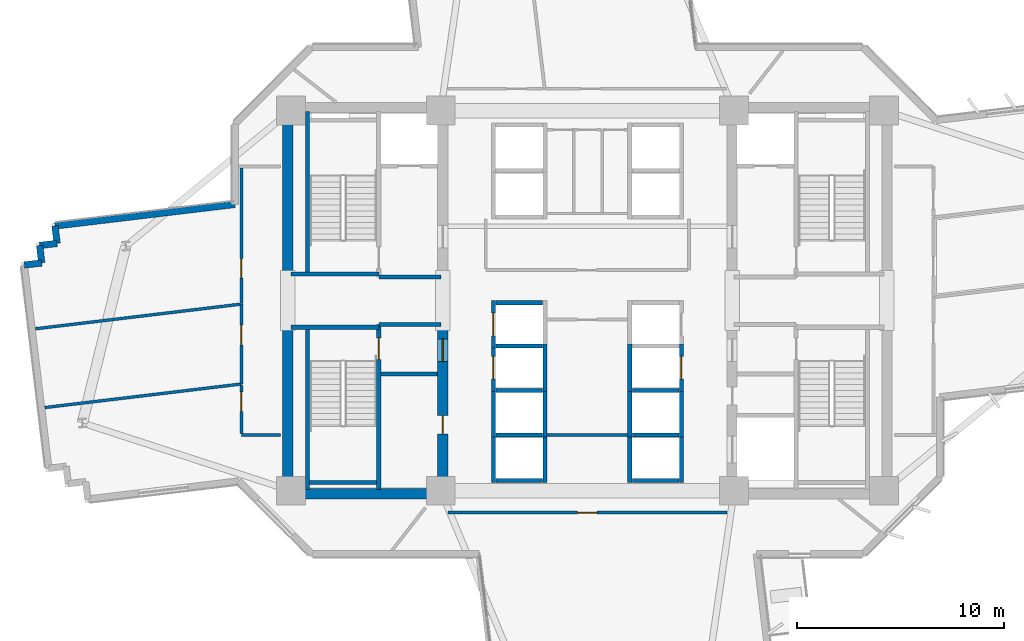
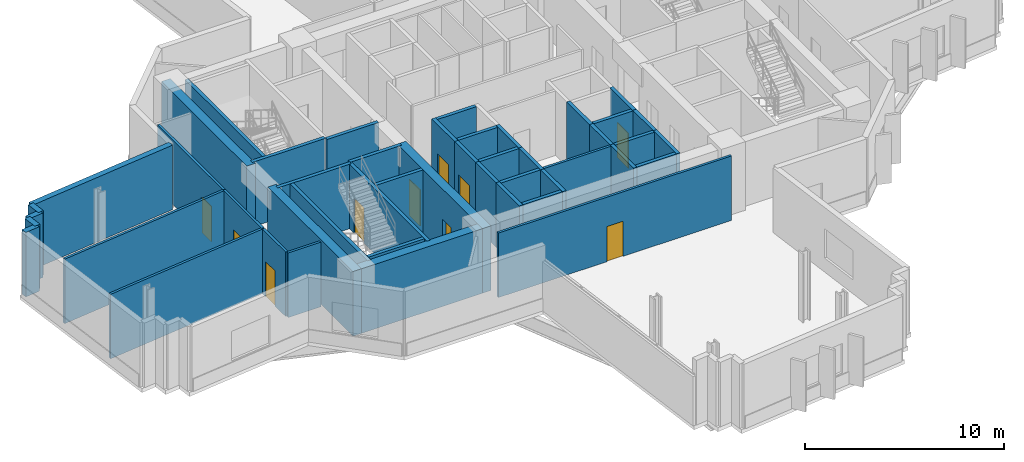
# One storey, part 6 of 15: 47 walls, 10 doors, 10 openings.
"""IFC4 building model written with IfcOpenShell, lengths in metres."""

import ifcopenshell
import ifcopenshell.guid

model = None  # the IFC model being written
_history = None  # IfcOwnerHistory: only IFC2X3 demands one
_inside = {}  # id of a spatial element -> (the spatial element, [elements in it])
_under = {}  # id of a project, library or spatial element -> (it, [spatial elements below it])
_declared = {}  # id of a project -> (the project, [libraries it declares])
_typed = {}  # id of a type object -> (the type object, [elements of that type])
_made_of = {}  # id of a material, layer set ... -> (it, [elements and type objects made of it])


def new_model(schema):
    """Start an empty IFC model of exactly this schema.

    Asked for "IFC4X3", IfcOpenShell would pick the latest addendum, in which some entities
    have other attributes; the version numbers below select the first issue.
    IFC2X3 requires an IfcOwnerHistory on every rooted entity: one is made here for all.
    """
    global model, _history
    if schema == "IFC4X3":
        model = ifcopenshell.file(schema_version=(4, 3, 0, 0))
    else:
        model = ifcopenshell.file(schema=schema)
    _inside.clear()
    _under.clear()
    _declared.clear()
    _typed.clear()
    _made_of.clear()
    _history = None
    if model.schema == "IFC2X3":
        org = make("IfcOrganization", Name="unknown")
        user = make(
            "IfcPersonAndOrganization",
            ThePerson=make("IfcPerson", FamilyName="unknown"),
            TheOrganization=org,
        )
        app = make(
            "IfcApplication",
            ApplicationDeveloper=org,
            Version="unknown",
            ApplicationFullName="unknown",
            ApplicationIdentifier="unknown",
        )
        _history = make(
            "IfcOwnerHistory",
            OwningUser=user,
            OwningApplication=app,
            ChangeAction="ADDED",
            CreationDate=0,
        )
    return model


def make(cls, **values):
    """One entity of the class cls with the attributes given. An attribute that is None is left unset."""
    return model.create_entity(
        cls, **{name: value for name, value in values.items() if value is not None}
    )


def rooted(cls, **values):
    """An entity with a GlobalId (a new one), such as an element, a storey or a relation."""
    return make(cls, GlobalId=ifcopenshell.guid.new(), OwnerHistory=_history, **values)


def si_unit(unit_type, name, prefix=None):
    """IfcSIUnit, for example si_unit("LENGTHUNIT", "METRE", prefix="MILLI")."""
    return make("IfcSIUnit", UnitType=unit_type, Prefix=prefix, Name=name)


def assignment(units):
    """IfcUnitAssignment: the units of a project."""
    return None if units is None else make("IfcUnitAssignment", Units=units)


def point(xyz):
    """IfcCartesianPoint."""
    return None if xyz is None else make("IfcCartesianPoint", Coordinates=xyz)


def direction(xyz):
    """IfcDirection."""
    return None if xyz is None else make("IfcDirection", DirectionRatios=xyz)


def frame(location, z_axis=None, x_axis=None):
    """IfcAxis2Placement3D, a coordinate frame: its origin and axes. An axis left out is left unset."""
    return make(
        "IfcAxis2Placement3D",
        Location=point(location),
        Axis=direction(z_axis),
        RefDirection=direction(x_axis),
    )


def frame_2d(location, x_axis=None):
    """IfcAxis2Placement2D, a coordinate frame in the plane: its origin and x axis."""
    return make(
        "IfcAxis2Placement2D", Location=point(location), RefDirection=direction(x_axis)
    )


def origin():
    """The frame at (0, 0, 0) with its axes left unset."""
    return frame((0.0, 0.0, 0.0))


def place(relative_to, where):
    """IfcLocalPlacement: puts the frame where relative to a parent placement (None: the world)."""
    return make(
        "IfcLocalPlacement", PlacementRelTo=relative_to, RelativePlacement=where
    )


def context(
    kind, dimensions, precision=None, world=None, true_north=None, identifier=None
):
    """IfcGeometricRepresentationContext, for example the 3D "Model" context."""
    return make(
        "IfcGeometricRepresentationContext",
        ContextIdentifier=identifier,
        ContextType=kind,
        CoordinateSpaceDimension=dimensions,
        Precision=precision,
        WorldCoordinateSystem=world,
        TrueNorth=true_north,
    )


def subcontext(parent, identifier, kind, view, scale=None):
    """IfcGeometricRepresentationSubContext, for example "Body" below "Model"."""
    return make(
        "IfcGeometricRepresentationSubContext",
        ContextIdentifier=identifier,
        ContextType=kind,
        ParentContext=parent,
        TargetScale=scale,
        TargetView=view,
    )


def project(units=None, contexts=None):
    """IfcProject with its units and contexts."""
    return rooted(
        "IfcProject",
        Name="project",
        RepresentationContexts=contexts,
        UnitsInContext=assignment(units),
    )


def spatial(cls, under=None, at=None, **own):
    """A site, building, storey or space (cls), placed at a placement, below another one or the project."""
    s = rooted(cls, ObjectPlacement=at, **own)
    if under is not None:
        _under.setdefault(under.id(), (under, []))[1].append(s)
    return s


def profile(cls, at=None, kind="AREA", **sizes):
    """A parametric profile (cls). Its sizes go by their IFC names, for example OverallWidth=200.0."""
    return make(cls, ProfileType=kind, Position=at, **sizes)


def rectangle(**sizes):
    """IfcRectangleProfileDef."""
    return profile("IfcRectangleProfileDef", **sizes)


def extrude(swept, where, along, depth):
    """IfcExtrudedAreaSolid: the profile swept, set in the frame where, extruded along a direction by depth."""
    return make(
        "IfcExtrudedAreaSolid",
        SweptArea=swept,
        Position=where,
        ExtrudedDirection=direction(along),
        Depth=depth,
    )


def shape(context_of_items, identifier, shape_type, items):
    """IfcShapeRepresentation: the items that make up one representation, for example the "Body"."""
    return make(
        "IfcShapeRepresentation",
        ContextOfItems=context_of_items,
        RepresentationIdentifier=identifier,
        RepresentationType=shape_type,
        Items=items,
    )


def source(mapping_origin, context_of_items, identifier, shape_type, items):
    """IfcRepresentationMap: a shape defined once, which mapped items show again and again."""
    return make(
        "IfcRepresentationMap",
        MappingOrigin=mapping_origin,
        MappedRepresentation=shape(context_of_items, identifier, shape_type, items),
    )


def transform(
    local_origin,
    x_axis=None,
    y_axis=None,
    z_axis=None,
    scale=None,
    scale2=None,
    scale3=None,
    uniform=True,
):
    """IfcCartesianTransformationOperator3D, or its non-uniform kind. x_axis, y_axis, z_axis: its Axis1, 2, 3."""
    if uniform:
        return make(
            "IfcCartesianTransformationOperator3D",
            Axis1=direction(x_axis),
            Axis2=direction(y_axis),
            LocalOrigin=point(local_origin),
            Scale=scale,
            Axis3=direction(z_axis),
        )
    return make(
        "IfcCartesianTransformationOperator3DnonUniform",
        Axis1=direction(x_axis),
        Axis2=direction(y_axis),
        LocalOrigin=point(local_origin),
        Scale=scale,
        Axis3=direction(z_axis),
        Scale2=scale2,
        Scale3=scale3,
    )


def mapped(mapping_source, mapping_target):
    """IfcMappedItem: shows the shape of a source again, moved by a transform."""
    return make(
        "IfcMappedItem", MappingSource=mapping_source, MappingTarget=mapping_target
    )


def material(Name=None, Category=None):
    """IfcMaterial."""
    return make("IfcMaterial", Name=Name, Category=Category)


def layer(
    of_material, thickness, ventilated=None, Name=None, Category=None, Priority=None
):
    """IfcMaterialLayer: one layer of a wall or slab, of a material (None: an air gap)."""
    return make(
        "IfcMaterialLayer",
        Material=of_material,
        LayerThickness=thickness,
        IsVentilated=ventilated,
        Name=Name,
        Category=Category,
        Priority=Priority,
    )


def layer_set(layers, Name=None):
    """IfcMaterialLayerSet."""
    return make("IfcMaterialLayerSet", MaterialLayers=layers, LayerSetName=Name)


def made_of(thing, what):
    """Note that an element or type object is made of a material, layer set ...; save() writes the relation."""
    if what is not None:
        _made_of.setdefault(what.id(), (what, []))[1].append(thing)
    return thing


def type_object(cls, material=None, **own):
    """A type object (cls), such as IfcWallType, which elements share."""
    return made_of(rooted(cls, **own), material)


def element(
    cls,
    number,
    at=None,
    inside=None,
    cuts=None,
    type_object=None,
    material=None,
    context=None,
    identifier="Body",
    shape_type=None,
    held_by="IfcProductDefinitionShape",
    body=None,
    shapes=None,
    **own,
):
    """One element of the class cls, such as IfcWall. Its Tag is "e" and its number.

    at: its placement. inside: the storey or other place that contains it. cuts: it is an
    opening in that element (IfcRelVoidsElement). A single representation is given by context,
    identifier, shape_type and body (its items); several are given by shapes. held_by: the class
    of the entity that holds the representations. save() writes the other relations.
    """
    e = rooted(cls, Tag="e%d" % number, ObjectPlacement=at, **own)
    if body is not None:
        shapes = [shape(context, identifier, shape_type, body)]
    if shapes is not None:
        e.Representation = make(held_by, Representations=shapes)
    if inside is not None:
        _inside.setdefault(inside.id(), (inside, []))[1].append(e)
    if cuts is not None:
        rooted(
            "IfcRelVoidsElement", RelatingBuildingElement=cuts, RelatedOpeningElement=e
        )
    if type_object is not None:
        _typed.setdefault(type_object.id(), (type_object, []))[1].append(e)
    return made_of(e, material)


def fill(opening, filler):
    """IfcRelFillsElement: the door or window that sits in an opening."""
    return rooted(
        "IfcRelFillsElement",
        RelatingOpeningElement=opening,
        RelatedBuildingElement=filler,
    )


def aggregate(whole, parts):
    """IfcRelAggregates: a whole, such as a stair, and the parts it consists of."""
    return rooted("IfcRelAggregates", RelatingObject=whole, RelatedObjects=parts)


def save(model, path):
    """Write the relations noted so far, then the file.

    IfcRelAggregates (storeys below a building ...), IfcRelContainedInSpatialStructure (elements
    in a storey), IfcRelDefinesByType, IfcRelAssociatesMaterial and IfcRelDeclares: one each for
    every whole, place, type object, material and project.
    """
    for whole, parts in _under.values():
        aggregate(whole, parts)
    for where, things in _inside.values():
        rooted(
            "IfcRelContainedInSpatialStructure",
            RelatedElements=things,
            RelatingStructure=where,
        )
    for kind, things in _typed.values():
        rooted("IfcRelDefinesByType", RelatedObjects=things, RelatingType=kind)
    for what, things in _made_of.values():
        rooted("IfcRelAssociatesMaterial", RelatedObjects=things, RelatingMaterial=what)
    for by, libraries in _declared.values():
        rooted("IfcRelDeclares", RelatingContext=by, RelatedDefinitions=libraries)
    model.write(path)


model = new_model("IFC4")

# Units and contexts
model_context = context("Model", 3, precision=1e-05, world=origin(), true_north=direction((0.0, 1.0)))
body_context = subcontext(model_context, "Body", "Model", "MODEL_VIEW")
ifc_project = project(units=[si_unit("LENGTHUNIT", "METRE"), si_unit("AREAUNIT", "SQUARE_METRE"), si_unit("VOLUMEUNIT", "CUBIC_METRE"), si_unit("PLANEANGLEUNIT", "RADIAN"), si_unit("MASSUNIT", "GRAM", prefix="KILO")], contexts=[model_context])

# Site, building, storey
site_placement = place(None, origin())
site = spatial("IfcSite", under=ifc_project, at=site_placement, CompositionType="ELEMENT")
building_placement = place(site_placement, origin())
building = spatial("IfcBuilding", under=site, at=building_placement, Name="Zahravan Cultural Tower", CompositionType="ELEMENT")
storey_placement = place(building_placement, frame((0.0, 0.0, 108.89990234375)))
storey = spatial("IfcBuildingStorey", under=building, at=storey_placement, Name="L24", CompositionType="ELEMENT", Elevation=108.89990234375)

# Wall, openings, doors
ifc_material_1 = material(Name="Concrete C60/75", Category="concrete")
ifc_layer_1 = layer(ifc_material_1, 0.5)
ifc_layer_set_1 = layer_set([ifc_layer_1], Name="Concrete C60/75")
wall_type_1 = type_object("IfcWallType", Name="CW-SHEAR-500-C60", PredefinedType="SHEAR", material=ifc_layer_set_1)
wall_1_placement = place(storey_placement, frame((29.0, 17.39990234375, 0.0), z_axis=(0.0, 0.0, 1.0), x_axis=(0.0, 1.0, 0.0)))
wall_1 = element("IfcWall", 1, at=wall_1_placement, inside=storey, type_object=wall_type_1, Name="L24 Core Shear Wall CW-W-ES-L24", PredefinedType="SHEAR", context=body_context, shape_type="SweptSolid", body=[
    extrude(rectangle(XDim=8.550048828125, YDim=0.5, at=frame_2d((4.27490234375, 0.0))), origin(), (0.0, 0.0, 1.0), 3.9501953125),
])
opening_1_placement = place(wall_1_placement, frame((6.64990234375, 0.0, 0.0)))
opening_1 = element("IfcOpeningElement", 2, at=opening_1_placement, cuts=wall_1, Name="Opening D-L24-07", PredefinedType="OPENING", context=body_context, shape_type="SweptSolid", body=[
    extrude(rectangle(XDim=1.10009765625, YDim=2.199951171875, at=frame_2d((0.550048828125, 1.10009765625))), frame((0.0, 0.260009765625, 0.0), z_axis=(0.0, -1.0, 0.0), x_axis=(1.0, 0.0, 0.0)), (0.0, 0.0, 1.0), 0.52001953125),
])
opening_2_placement = place(wall_1_placement, frame((3.14990234375, 0.0, 0.0)))
opening_2 = element("IfcOpeningElement", 3, at=opening_2_placement, cuts=wall_1, Name="Opening D-L24-09", PredefinedType="OPENING", context=body_context, shape_type="SweptSolid", body=[
    extrude(rectangle(XDim=0.8798828125, YDim=2.10009765625, at=frame_2d((0.43994140625, 1.050048828125))), frame((0.0, 0.260009765625, 0.0), z_axis=(0.0, -1.0, 0.0), x_axis=(1.0, 0.0, 0.0)), (0.0, 0.0, 1.0), 0.52001953125),
])
ifc_material_2 = material(Name="Steel ASTM A572 Grade 50", Category="steel")
door_type_1 = type_object("IfcDoorType", Name="DR-LOBBY-1100", OperationType="NOTDEFINED", PredefinedType="DOOR", material=ifc_material_2)
shared_shape_1 = source(origin(), body_context, "Body", "SweptSolid", [
    extrude(rectangle(XDim=1.10009765625, YDim=2.199951171875, at=frame_2d((0.550048828125, 1.10009765625))), frame((0.0, 0.02490234375, 0.0), z_axis=(0.0, -1.0, 0.0), x_axis=(1.0, 0.0, 0.0)), (0.0, 0.0, 1.0), 0.050048828125),
])
door_1_placement = place(opening_1_placement, origin())
door_1 = element("IfcDoor", 4, at=door_1_placement, inside=storey, type_object=door_type_1, Name="L24 Door D-L24-07", OperationType="SINGLE_SWING_RIGHT", OverallHeight=2.199951171875, OverallWidth=1.10009765625, PredefinedType="DOOR", context=body_context, shape_type="MappedRepresentation", body=[
    mapped(shared_shape_1, transform((0.0, 0.0, 0.0), x_axis=(1.0, 0.0, 0.0), y_axis=(0.0, 1.0, 0.0), z_axis=(0.0, 0.0, 1.0), scale=1.0)),
])
fill(opening_1, door_1)
door_type_2 = type_object("IfcDoorType", Name="DR-SVC-880", OperationType="NOTDEFINED", PredefinedType="DOOR", material=ifc_material_2)
shared_shape_2 = source(origin(), body_context, "Body", "SweptSolid", [
    extrude(rectangle(XDim=0.8798828125, YDim=2.10009765625, at=frame_2d((0.43994140625, 1.050048828125))), frame((0.0, 0.02490234375, 0.0), z_axis=(0.0, -1.0, 0.0), x_axis=(1.0, 0.0, 0.0)), (0.0, 0.0, 1.0), 0.050048828125),
])
door_2_placement = place(opening_2_placement, origin())
door_2 = element("IfcDoor", 5, at=door_2_placement, inside=storey, type_object=door_type_2, Name="L24 Door D-L24-09", OperationType="SINGLE_SWING_RIGHT", OverallHeight=2.10009765625, OverallWidth=0.8798828125, PredefinedType="DOOR", context=body_context, shape_type="MappedRepresentation", body=[
    mapped(shared_shape_2, transform((0.0, 0.0, 0.0), x_axis=(1.0, 0.0, 0.0), y_axis=(0.0, 1.0, 0.0), z_axis=(0.0, 0.0, 1.0), scale=1.0)),
])
fill(opening_2, door_2)

# Wall, opening, door
ifc_material_3 = material(Name="Gypsum plasterboard partition")
ifc_layer_2 = layer(ifc_material_3, 0.139892578125)
ifc_layer_set_2 = layer_set([ifc_layer_2], Name="Gypsum plasterboard partition")
wall_type_2 = type_object("IfcWallType", Name="W-PART-140", PredefinedType="PARTITIONING", material=ifc_layer_set_2)
wall_2_placement = place(storey_placement, frame((19.25, 26.833984375, 0.0), z_axis=(0.0, 0.0, 1.0), x_axis=(0.0, -1.0, 0.0)))
wall_2 = element("IfcWall", 6, at=wall_2_placement, inside=storey, type_object=wall_type_2, Name="L24 Interior Wall 082", PredefinedType="PARTITIONING", context=body_context, shape_type="SweptSolid", body=[
    extrude(rectangle(XDim=3.86767578125, YDim=0.139892578125, at=frame_2d((1.933837890625, 0.0))), origin(), (0.0, 0.0, 1.0), 3.9501953125),
])
opening_3_placement = place(wall_2_placement, frame((1.02099609375, 0.0, 0.0)))
opening_3 = element("IfcOpeningElement", 7, at=opening_3_placement, cuts=wall_2, Name="Opening D-L24-22", PredefinedType="OPENING", context=body_context, shape_type="SweptSolid", body=[
    extrude(rectangle(XDim=0.949951171875, YDim=2.14990234375, at=frame_2d((0.47509765625, 1.074951171875))), frame((0.0, 0.079833984375, 0.0), z_axis=(0.0, -1.0, 0.0), x_axis=(1.0, 0.0, 0.0)), (0.0, 0.0, 1.0), 0.159912109375),
])
ifc_material_4 = material(Name="Anodised bronze-aluminium mullion", Category="aluminium")
door_type_3 = type_object("IfcDoorType", Name="DR-ROOM-950", OperationType="NOTDEFINED", PredefinedType="DOOR", material=ifc_material_4)
shared_shape_3 = source(origin(), body_context, "Body", "SweptSolid", [
    extrude(rectangle(XDim=0.949951171875, YDim=2.14990234375, at=frame_2d((0.47509765625, 1.074951171875))), frame((0.0, 0.02490234375, 0.0), z_axis=(0.0, -1.0, 0.0), x_axis=(1.0, 0.0, 0.0)), (0.0, 0.0, 1.0), 0.050048828125),
])
door_3_placement = place(opening_3_placement, origin())
door_3 = element("IfcDoor", 8, at=door_3_placement, inside=storey, type_object=door_type_3, Name="L24 Door D-L24-22", OperationType="SINGLE_SWING_LEFT", OverallHeight=2.14990234375, OverallWidth=0.949951171875, PredefinedType="DOOR", context=body_context, shape_type="MappedRepresentation", body=[
    mapped(shared_shape_3, transform((0.0, 0.0, 0.0), x_axis=(1.0, 0.0, 0.0), y_axis=(0.0, 1.0, 0.0), z_axis=(0.0, 0.0, 1.0), scale=1.0)),
])
fill(opening_3, door_3)

wall_3_placement = place(storey_placement, frame((19.252685546875, 33.422607421875, 0.0), z_axis=(0.0, 0.0, 1.0), x_axis=(-0.000408845905, -0.999999916423, 0.0)))
wall_3 = element("IfcWall", 9, at=wall_3_placement, inside=storey, type_object=wall_type_2, Name="L24 Interior Wall 086", PredefinedType="PARTITIONING", context=body_context, shape_type="SweptSolid", body=[
    extrude(rectangle(XDim=6.568603515625, YDim=0.139892578125, at=frame_2d((3.2841796875, 0.0))), origin(), (0.0, 0.0, 1.0), 3.9501953125),
])
opening_4_placement = place(wall_3_placement, frame((4.38232421875, 0.0, 0.0)))
opening_4 = element("IfcOpeningElement", 10, at=opening_4_placement, cuts=wall_3, Name="Opening D-L24-21", PredefinedType="OPENING", context=body_context, shape_type="SweptSolid", body=[
    extrude(rectangle(XDim=0.949951171875, YDim=2.14990234375, at=frame_2d((0.47509765625, 1.074951171875))), frame((0.0, 0.079833984375, 0.0), z_axis=(0.0, -1.0, 0.0), x_axis=(1.0, 0.0, 0.0)), (0.0, 0.0, 1.0), 0.159912109375),
])
door_4_placement = place(opening_4_placement, origin())
door_4 = element("IfcDoor", 11, at=door_4_placement, inside=storey, type_object=door_type_3, Name="L24 Door D-L24-21", OperationType="SINGLE_SWING_RIGHT", OverallHeight=2.14990234375, OverallWidth=0.949951171875, PredefinedType="DOOR", context=body_context, shape_type="MappedRepresentation", body=[
    mapped(shared_shape_3, transform((0.0, 0.0, 0.0), x_axis=(1.0, 0.0, 0.0), y_axis=(0.0, 1.0, 0.0), z_axis=(0.0, 0.0, 1.0), scale=1.0)),
])
fill(opening_4, door_4)

wall_4_placement = place(storey_placement, frame((19.25, 22.890869140625, 0.0), z_axis=(0.0, 0.0, 1.0), x_axis=(0.001476168784, -0.999998910462, 0.0)))
wall_4 = element("IfcWall", 12, at=wall_4_placement, inside=storey, type_object=wall_type_2, Name="L24 Interior Wall 096", PredefinedType="PARTITIONING", context=body_context, shape_type="SweptSolid", body=[
    extrude(rectangle(XDim=2.3154296875, YDim=0.139892578125, at=frame_2d((1.15771484375, 0.0))), origin(), (0.0, 0.0, 1.0), 3.9501953125),
])
opening_5_placement = place(wall_4_placement, frame((0.30029296875, 0.0, 0.0)))
opening_5 = element("IfcOpeningElement", 13, at=opening_5_placement, cuts=wall_4, Name="Opening D-L24-23", PredefinedType="OPENING", context=body_context, shape_type="SweptSolid", body=[
    extrude(rectangle(XDim=0.949951171875, YDim=2.14990234375, at=frame_2d((0.47509765625, 1.074951171875))), frame((0.0, 0.079833984375, 0.0), z_axis=(0.0, -1.0, 0.0), x_axis=(1.0, 0.0, 0.0)), (0.0, 0.0, 1.0), 0.159912109375),
])
door_5_placement = place(opening_5_placement, origin())
door_5 = element("IfcDoor", 14, at=door_5_placement, inside=storey, type_object=door_type_3, Name="L24 Door D-L24-23", OperationType="SINGLE_SWING_RIGHT", OverallHeight=2.14990234375, OverallWidth=0.949951171875, PredefinedType="DOOR", context=body_context, shape_type="MappedRepresentation", body=[
    mapped(shared_shape_3, transform((0.0, 0.0, 0.0), x_axis=(1.0, 0.0, 0.0), y_axis=(0.0, 1.0, 0.0), z_axis=(0.0, 0.0, 1.0), scale=1.0)),
])
fill(opening_5, door_5)

wall_5_placement = place(storey_placement, frame((29.255859375, 16.739990234375, 0.0), z_axis=(0.0, 0.0, 1.0), x_axis=(1.0, 0.0, 0.0)))
wall_5 = element("IfcWall", 15, at=wall_5_placement, inside=storey, type_object=wall_type_2, Name="L24 Interior Wall 100", PredefinedType="PARTITIONING", context=body_context, shape_type="SweptSolid", body=[
    extrude(rectangle(XDim=13.48828125, YDim=0.139892578125, at=frame_2d((6.744140625, 0.0))), origin(), (0.0, 0.0, 1.0), 3.9501953125),
])
opening_6_placement = place(wall_5_placement, frame((6.26904296875, 0.0, 0.0)))
opening_6 = element("IfcOpeningElement", 16, at=opening_6_placement, cuts=wall_5, Name="Opening D-L24-24", PredefinedType="OPENING", context=body_context, shape_type="SweptSolid", body=[
    extrude(rectangle(XDim=0.949951171875, YDim=2.14990234375, at=frame_2d((0.47509765625, 1.074951171875))), frame((0.0, 0.079833984375, 0.0), z_axis=(0.0, -1.0, 0.0), x_axis=(1.0, 0.0, 0.0)), (0.0, 0.0, 1.0), 0.159912109375),
])
door_6_placement = place(opening_6_placement, origin())
door_6 = element("IfcDoor", 17, at=door_6_placement, inside=storey, type_object=door_type_3, Name="L24 Door D-L24-24", OperationType="SINGLE_SWING_LEFT", OverallHeight=2.14990234375, OverallWidth=0.949951171875, PredefinedType="DOOR", context=body_context, shape_type="MappedRepresentation", body=[
    mapped(shared_shape_3, transform((0.0, 0.0, 0.0), x_axis=(1.0, 0.0, 0.0), y_axis=(0.0, 1.0, 0.0), z_axis=(0.0, 0.0, 1.0), scale=1.0)),
])
fill(opening_6, door_6)

ifc_material_5 = material(Name="Concrete C45/55", Category="concrete")
ifc_layer_3 = layer(ifc_material_5, 0.199951171875)
ifc_layer_set_3 = layer_set([ifc_layer_3], Name="Concrete C45/55")
wall_type_3 = type_object("IfcWallType", Name="W-SHAFT-200", PredefinedType="SOLIDWALL", material=ifc_layer_set_3)
wall_6_placement = place(storey_placement, frame((25.89990234375, 17.85009765625, 0.0), z_axis=(0.0, 0.0, 1.0), x_axis=(0.0, 1.0, 0.0)))
wall_6 = element("IfcWall", 18, at=wall_6_placement, inside=storey, type_object=wall_type_3, Name="L24 Interior Wall 005", PredefinedType="SOLIDWALL", context=body_context, shape_type="SweptSolid", body=[
    extrude(rectangle(XDim=8.0, YDim=0.199951171875, at=frame_2d((4.0, 0.0))), origin(), (0.0, 0.0, 1.0), 3.9501953125),
])
opening_7_placement = place(wall_6_placement, frame((6.300048828125, 0.0, 0.0)))
opening_7 = element("IfcOpeningElement", 19, at=opening_7_placement, cuts=wall_6, Name="Opening D-L24-04", PredefinedType="OPENING", context=body_context, shape_type="SweptSolid", body=[
    extrude(rectangle(XDim=1.050048828125, YDim=2.14990234375, at=frame_2d((0.52490234375, 1.074951171875))), frame((0.0, 0.10986328125, 0.0), z_axis=(0.0, -1.0, 0.0), x_axis=(1.0, 0.0, 0.0)), (0.0, 0.0, 1.0), 0.219970703125),
])
door_type_4 = type_object("IfcDoorType", Name="DR-STAIR-1050", OperationType="NOTDEFINED", PredefinedType="DOOR", material=ifc_material_2)
shared_shape_4 = source(origin(), body_context, "Body", "SweptSolid", [
    extrude(rectangle(XDim=1.050048828125, YDim=2.14990234375, at=frame_2d((0.52490234375, 1.074951171875))), frame((0.0, 0.02490234375, 0.0), z_axis=(0.0, -1.0, 0.0), x_axis=(1.0, 0.0, 0.0)), (0.0, 0.0, 1.0), 0.050048828125),
])
door_7_placement = place(opening_7_placement, origin())
door_7 = element("IfcDoor", 20, at=door_7_placement, inside=storey, type_object=door_type_4, Name="L24 Door D-L24-04", OperationType="SINGLE_SWING_LEFT", OverallHeight=2.14990234375, OverallWidth=1.050048828125, PredefinedType="DOOR", context=body_context, shape_type="MappedRepresentation", body=[
    mapped(shared_shape_4, transform((0.0, 0.0, 0.0), x_axis=(1.0, 0.0, 0.0), y_axis=(0.0, 1.0, 0.0), z_axis=(0.0, 0.0, 1.0), scale=1.0)),
])
fill(opening_7, door_7)

wall_7_placement = place(storey_placement, frame((31.449951171875, 24.699951171875, 0.0), z_axis=(0.0, 0.0, 1.0), x_axis=(0.0, 1.0, 0.0)))
wall_7 = element("IfcWall", 21, at=wall_7_placement, inside=storey, type_object=wall_type_3, Name="L24 Interior Wall 054", PredefinedType="SOLIDWALL", context=body_context, shape_type="SweptSolid", body=[
    extrude(rectangle(XDim=2.300048828125, YDim=0.199951171875, at=frame_2d((1.14990234375, 0.0))), origin(), (0.0, 0.0, 1.0), 3.9501953125),
])
opening_8_placement = place(wall_7_placement, frame((0.60009765625, 0.0, 0.0)))
opening_8 = element("IfcOpeningElement", 22, at=opening_8_placement, cuts=wall_7, Name="Opening LD-L24-04", PredefinedType="OPENING", context=body_context, shape_type="SweptSolid", body=[
    extrude(rectangle(XDim=1.10009765625, YDim=2.14990234375, at=frame_2d((0.550048828125, 1.074951171875))), frame((0.0, 0.10986328125, 0.0), z_axis=(0.0, -1.0, 0.0), x_axis=(1.0, 0.0, 0.0)), (0.0, 0.0, 1.0), 0.219970703125),
])
door_type_5 = type_object("IfcDoorType", Name="DR-LIFT-1100", OperationType="DOUBLE_DOOR_SLIDING", PredefinedType="DOOR", material=ifc_material_2)
shared_shape_5 = source(origin(), body_context, "Body", "SweptSolid", [
    extrude(rectangle(XDim=1.10009765625, YDim=2.14990234375, at=frame_2d((0.550048828125, 1.074951171875))), frame((0.0, 0.02490234375, 0.0), z_axis=(0.0, -1.0, 0.0), x_axis=(1.0, 0.0, 0.0)), (0.0, 0.0, 1.0), 0.050048828125),
])
door_8_placement = place(opening_8_placement, origin())
door_8 = element("IfcDoor", 23, at=door_8_placement, inside=storey, type_object=door_type_5, Name="L24 Door LD-L24-04", OperationType="DOUBLE_DOOR_SLIDING", OverallHeight=2.14990234375, OverallWidth=1.10009765625, PredefinedType="DOOR", context=body_context, shape_type="MappedRepresentation", body=[
    mapped(shared_shape_5, transform((0.0, 0.0, 0.0), x_axis=(1.0, 0.0, 0.0), y_axis=(0.0, 1.0, 0.0), z_axis=(0.0, 0.0, 1.0), scale=1.0)),
])
fill(opening_8, door_8)

wall_8_placement = place(storey_placement, frame((31.449951171875, 22.60009765625, 0.0), z_axis=(0.0, 0.0, 1.0), x_axis=(0.0, 1.0, 0.0)))
wall_8 = element("IfcWall", 24, at=wall_8_placement, inside=storey, type_object=wall_type_3, Name="L24 Interior Wall 058", PredefinedType="SOLIDWALL", context=body_context, shape_type="SweptSolid", body=[
    extrude(rectangle(XDim=2.2998046875, YDim=0.199951171875, at=frame_2d((1.14990234375, 0.0))), origin(), (0.0, 0.0, 1.0), 3.9501953125),
])
opening_9_placement = place(wall_8_placement, frame((0.60009765625, 0.0, 0.0)))
opening_9 = element("IfcOpeningElement", 25, at=opening_9_placement, cuts=wall_8, Name="Opening LD-L24-05", PredefinedType="OPENING", context=body_context, shape_type="SweptSolid", body=[
    extrude(rectangle(XDim=1.10009765625, YDim=2.14990234375, at=frame_2d((0.550048828125, 1.074951171875))), frame((0.0, 0.10986328125, 0.0), z_axis=(0.0, -1.0, 0.0), x_axis=(1.0, 0.0, 0.0)), (0.0, 0.0, 1.0), 0.219970703125),
])
door_9_placement = place(opening_9_placement, origin())
door_9 = element("IfcDoor", 26, at=door_9_placement, inside=storey, type_object=door_type_5, Name="L24 Door LD-L24-05", OperationType="DOUBLE_DOOR_SLIDING", OverallHeight=2.14990234375, OverallWidth=1.10009765625, PredefinedType="DOOR", context=body_context, shape_type="MappedRepresentation", body=[
    mapped(shared_shape_5, transform((0.0, 0.0, 0.0), x_axis=(1.0, 0.0, 0.0), y_axis=(0.0, 1.0, 0.0), z_axis=(0.0, 0.0, 1.0), scale=1.0)),
])
fill(opening_9, door_9)

wall_9_placement = place(storey_placement, frame((40.550048828125, 22.60009765625, 0.0), z_axis=(0.0, 0.0, 1.0), x_axis=(0.0, 1.0, 0.0)))
wall_9 = element("IfcWall", 27, at=wall_9_placement, inside=storey, type_object=wall_type_3, Name="L24 Interior Wall 065", PredefinedType="SOLIDWALL", context=body_context, shape_type="SweptSolid", body=[
    extrude(rectangle(XDim=2.2998046875, YDim=0.199951171875, at=frame_2d((1.14990234375, 0.0))), origin(), (0.0, 0.0, 1.0), 3.9501953125),
])
opening_10_placement = place(wall_9_placement, frame((0.60009765625, 0.0, 0.0)))
opening_10 = element("IfcOpeningElement", 28, at=opening_10_placement, cuts=wall_9, Name="Opening LD-L24-07", PredefinedType="OPENING", context=body_context, shape_type="SweptSolid", body=[
    extrude(rectangle(XDim=1.10009765625, YDim=2.14990234375, at=frame_2d((0.550048828125, 1.074951171875))), frame((0.0, 0.10986328125, 0.0), z_axis=(0.0, -1.0, 0.0), x_axis=(1.0, 0.0, 0.0)), (0.0, 0.0, 1.0), 0.219970703125),
])
door_10_placement = place(opening_10_placement, origin())
door_10 = element("IfcDoor", 29, at=door_10_placement, inside=storey, type_object=door_type_5, Name="L24 Door LD-L24-07", OperationType="DOUBLE_DOOR_SLIDING", OverallHeight=2.14990234375, OverallWidth=1.10009765625, PredefinedType="DOOR", context=body_context, shape_type="MappedRepresentation", body=[
    mapped(shared_shape_5, transform((0.0, 0.0, 0.0), x_axis=(1.0, 0.0, 0.0), y_axis=(0.0, 1.0, 0.0), z_axis=(0.0, 0.0, 1.0), scale=1.0)),
])
fill(opening_10, door_10)

# Walls
shared_shape_6 = source(origin(), body_context, "Body", "SweptSolid", [
    extrude(rectangle(XDim=8.550048828125, YDim=0.5, at=frame_2d((4.27490234375, 0.0))), origin(), (0.0, 0.0, 1.0), 3.9501953125),
])
for number, where, z_axis, x_axis, name in (
    (30, (21.5, 17.39990234375, 0.0), (0.0, 0.0, 1.0), (0.0, 1.0, 0.0), "L24 Core Shear Wall CW-W-WS-L24"),
    (31, (21.5, 28.050048828125, 0.0), (0.0, 0.0, 1.0), (0.0, 1.0, 0.0), "L24 Core Shear Wall CW-W-WN-L24"),
):
    element("IfcWall", number, at=place(storey_placement, frame(where, z_axis=z_axis, x_axis=x_axis)), inside=storey, type_object=wall_type_1, Name=name, PredefinedType="SHEAR", context=body_context, shape_type="MappedRepresentation", body=[
        mapped(shared_shape_6, transform((0.0, 0.0, 0.0), x_axis=(1.0, 0.0, 0.0), y_axis=(0.0, 1.0, 0.0), z_axis=(0.0, 0.0, 1.0), scale=1.0)),
    ])
shared_shape_7 = source(origin(), body_context, "Body", "SweptSolid", [
    extrude(rectangle(XDim=7.0, YDim=0.5, at=frame_2d((3.5, 0.0))), origin(), (0.0, 0.0, 1.0), 3.9501953125),
])
wall_10_placement = place(storey_placement, frame((21.75, 17.64990234375, 0.0), z_axis=(0.0, 0.0, 1.0), x_axis=(1.0, 0.0, 0.0)))
element("IfcWall", 32, at=wall_10_placement, inside=storey, type_object=wall_type_1, Name="L24 Core Shear Wall CW-W-S-L24", PredefinedType="SHEAR", context=body_context, shape_type="MappedRepresentation", body=[
    mapped(shared_shape_7, transform((0.0, 0.0, 0.0), x_axis=(1.0, 0.0, 0.0), y_axis=(0.0, 1.0, 0.0), z_axis=(0.0, 0.0, 1.0), scale=1.0)),
])
ifc_material_6 = material(Name="Precast concrete C40/50", Category="concrete")
ifc_layer_4 = layer(ifc_material_6, 0.320068359375)
ifc_layer_set_4 = layer_set([ifc_layer_4], Name="Precast concrete C40/50")
wall_type_4 = type_object("IfcWallType", Name="EW-TC-320", PredefinedType="SOLIDWALL", material=ifc_layer_set_4)
shared_shape_8 = source(origin(), body_context, "Body", "SweptSolid", [
    extrude(rectangle(XDim=0.85009765625, YDim=0.320068359375, at=frame_2d((0.425048828125, 0.0))), origin(), (0.0, 0.0, 1.0), 3.9501953125),
])
for number, where, z_axis, x_axis, name in (
    (33, (8.740478515625, 28.725830078125, 0.0), (0.0, 0.0, 1.0), (0.992905350382, 0.118907380694, 0.0), "L24 Exterior Masonry Frame Wall 33"),
    (34, (9.58447265625, 28.826904296875, 0.0), (0.0, 0.0, 1.0), (-0.119190521137, 0.992871401376, 0.0), "L24 Exterior Masonry Frame Wall 34"),
    (35, (9.483154296875, 29.6708984375, 0.0), (0.0, 0.0, 1.0), (0.992871401376, 0.119190521137, 0.0), "L24 Exterior Masonry Frame Wall 35"),
    (36, (10.3271484375, 29.772216796875, 0.0), (0.0, 0.0, 1.0), (-0.119190521137, 0.992871401376, 0.0), "L24 Exterior Masonry Frame Wall 36"),
):
    element("IfcWall", number, at=place(storey_placement, frame(where, z_axis=z_axis, x_axis=x_axis)), inside=storey, type_object=wall_type_4, Name=name, PredefinedType="SOLIDWALL", context=body_context, shape_type="MappedRepresentation", body=[
        mapped(shared_shape_8, transform((0.0, 0.0, 0.0), x_axis=(1.0, 0.0, 0.0), y_axis=(0.0, 1.0, 0.0), z_axis=(0.0, 0.0, 1.0), scale=1.0)),
    ])
shared_shape_9 = source(origin(), body_context, "Body", "SweptSolid", [
    extrude(rectangle(XDim=8.776611328125, YDim=0.320068359375, at=frame_2d((4.38818359375, 0.0))), origin(), (0.0, 0.0, 1.0), 3.9501953125),
])
wall_11_placement = place(storey_placement, frame((10.225830078125, 30.6162109375, 0.0), z_axis=(0.0, 0.0, 1.0), x_axis=(0.992883944618, 0.119085987922, 0.0)))
element("IfcWall", 37, at=wall_11_placement, inside=storey, type_object=wall_type_4, Name="L24 Exterior Masonry Frame Wall 37", PredefinedType="SOLIDWALL", context=body_context, shape_type="MappedRepresentation", body=[
    mapped(shared_shape_9, transform((0.0, 0.0, 0.0), x_axis=(1.0, 0.0, 0.0), y_axis=(0.0, 1.0, 0.0), z_axis=(0.0, 0.0, 1.0), scale=1.0)),
])
shared_shape_10 = source(origin(), body_context, "Body", "SweptSolid", [
    extrude(rectangle(XDim=7.869873046875, YDim=0.199951171875, at=frame_2d((3.93505859375, 0.0))), origin(), (0.0, 0.0, 1.0), 3.9501953125),
])
for number, where, z_axis, x_axis, name in (
    (38, (22.449951171875, 17.85009765625, 0.0), (0.0, 0.0, 1.0), (0.0, 1.0, 0.0), "L24 Interior Wall 001"),
    (39, (22.449951171875, 28.280029296875, 0.0), (0.0, 0.0, 1.0), (0.0, 1.0, 0.0), "L24 Interior Wall 002"),
):
    element("IfcWall", number, at=place(storey_placement, frame(where, z_axis=z_axis, x_axis=x_axis)), inside=storey, type_object=wall_type_3, Name=name, PredefinedType="SOLIDWALL", context=body_context, shape_type="MappedRepresentation", body=[
        mapped(shared_shape_10, transform((0.0, 0.0, 0.0), x_axis=(1.0, 0.0, 0.0), y_axis=(0.0, 1.0, 0.0), z_axis=(0.0, 0.0, 1.0), scale=1.0)),
    ])
shared_shape_11 = source(origin(), body_context, "Body", "SweptSolid", [
    extrude(rectangle(XDim=4.25, YDim=0.199951171875, at=frame_2d((2.125, 0.0))), origin(), (0.0, 0.0, 1.0), 3.9501953125),
])
for number, where, z_axis, x_axis, name in (
    (40, (21.64990234375, 25.715087890625, 0.0), (0.0, 0.0, 1.0), (1.0, 0.0, 0.0), "L24 Interior Wall 009"),
    (41, (21.64990234375, 28.284912109375, 0.0), (0.0, 0.0, 1.0), (1.0, 0.0, 0.0), "L24 Interior Wall 011"),
):
    element("IfcWall", number, at=place(storey_placement, frame(where, z_axis=z_axis, x_axis=x_axis)), inside=storey, type_object=wall_type_3, Name=name, PredefinedType="SOLIDWALL", context=body_context, shape_type="MappedRepresentation", body=[
        mapped(shared_shape_11, transform((0.0, 0.0, 0.0), x_axis=(1.0, 0.0, 0.0), y_axis=(0.0, 1.0, 0.0), z_axis=(0.0, 0.0, 1.0), scale=1.0)),
    ])
shared_shape_12 = source(origin(), body_context, "Body", "SweptSolid", [
    extrude(rectangle(XDim=3.0, YDim=0.199951171875, at=frame_2d((1.5, 0.0))), origin(), (0.0, 0.0, 1.0), 3.9501953125),
])
for number, where, z_axis, x_axis, name in (
    (42, (25.89990234375, 25.85009765625, 0.0), (0.0, 0.0, 1.0), (1.0, 0.0, 0.0), "L24 Interior Wall 010"),
    (43, (25.89990234375, 28.14990234375, 0.0), (0.0, 0.0, 1.0), (1.0, 0.0, 0.0), "L24 Interior Wall 012"),
):
    element("IfcWall", number, at=place(storey_placement, frame(where, z_axis=z_axis, x_axis=x_axis)), inside=storey, type_object=wall_type_3, Name=name, PredefinedType="SOLIDWALL", context=body_context, shape_type="MappedRepresentation", body=[
        mapped(shared_shape_12, transform((0.0, 0.0, 0.0), x_axis=(1.0, 0.0, 0.0), y_axis=(0.0, 1.0, 0.0), z_axis=(0.0, 0.0, 1.0), scale=1.0)),
    ])
shared_shape_13 = source(origin(), body_context, "Body", "SweptSolid", [
    extrude(rectangle(XDim=3.25, YDim=0.199951171875, at=frame_2d((1.625, 0.0))), origin(), (0.0, 0.0, 1.0), 3.9501953125),
])
wall_12_placement = place(storey_placement, frame((22.550048828125, 18.199951171875, 0.0), z_axis=(0.0, 0.0, 1.0), x_axis=(1.0, 0.0, 0.0)))
element("IfcWall", 44, at=wall_12_placement, inside=storey, type_object=wall_type_3, Name="L24 Interior Wall 019", PredefinedType="SOLIDWALL", context=body_context, shape_type="MappedRepresentation", body=[
    mapped(shared_shape_13, transform((0.0, 0.0, 0.0), x_axis=(1.0, 0.0, 0.0), y_axis=(0.0, 1.0, 0.0), z_axis=(0.0, 0.0, 1.0), scale=1.0)),
])
shared_shape_14 = source(origin(), body_context, "Body", "SweptSolid", [
    extrude(rectangle(XDim=2.75, YDim=0.199951171875, at=frame_2d((1.375, 0.0))), origin(), (0.0, 0.0, 1.0), 3.9501953125),
])
wall_13_placement = place(storey_placement, frame((26.0, 23.449951171875, 0.0), z_axis=(0.0, 0.0, 1.0), x_axis=(1.0, 0.0, 0.0)))
element("IfcWall", 45, at=wall_13_placement, inside=storey, type_object=wall_type_3, Name="L24 Interior Wall 023", PredefinedType="SOLIDWALL", context=body_context, shape_type="MappedRepresentation", body=[
    mapped(shared_shape_14, transform((0.0, 0.0, 0.0), x_axis=(1.0, 0.0, 0.0), y_axis=(0.0, 1.0, 0.0), z_axis=(0.0, 0.0, 1.0), scale=1.0)),
])
shared_shape_15 = source(origin(), body_context, "Body", "SweptSolid", [
    extrude(rectangle(XDim=2.260009765625, YDim=0.199951171875, at=frame_2d((1.1298828125, 0.0))), origin(), (0.0, 0.0, 1.0), 3.9501953125),
])
for number, where, z_axis, x_axis, name in (
    (46, (31.570068359375, 20.5, 0.0), (0.0, 0.0, 1.0), (1.0, 0.0, 0.0), "L24 Interior Wall 042"),
    (47, (31.570068359375, 22.64990234375, 0.0), (0.0, 0.0, 1.0), (1.0, 0.0, 0.0), "L24 Interior Wall 043"),
    (48, (31.570068359375, 18.300048828125, 0.0), (0.0, 0.0, 1.0), (1.0, 0.0, 0.0), "L24 Interior Wall 046"),
    (49, (38.169921875, 20.5, 0.0), (0.0, 0.0, 1.0), (1.0, 0.0, 0.0), "L24 Interior Wall 049"),
    (50, (38.169921875, 22.64990234375, 0.0), (0.0, 0.0, 1.0), (1.0, 0.0, 0.0), "L24 Interior Wall 050"),
    (51, (38.169921875, 18.300048828125, 0.0), (0.0, 0.0, 1.0), (1.0, 0.0, 0.0), "L24 Interior Wall 053"),
    (52, (31.570068359375, 24.800048828125, 0.0), (0.0, 0.0, 1.0), (1.0, 0.0, 0.0), "L24 Interior Wall 056"),
    (53, (31.570068359375, 26.89990234375, 0.0), (0.0, 0.0, 1.0), (1.0, 0.0, 0.0), "L24 Interior Wall 057"),
):
    element("IfcWall", number, at=place(storey_placement, frame(where, z_axis=z_axis, x_axis=x_axis)), inside=storey, type_object=wall_type_3, Name=name, PredefinedType="SOLIDWALL", context=body_context, shape_type="MappedRepresentation", body=[
        mapped(shared_shape_15, transform((0.0, 0.0, 0.0), x_axis=(1.0, 0.0, 0.0), y_axis=(0.0, 1.0, 0.0), z_axis=(0.0, 0.0, 1.0), scale=1.0)),
    ])
shared_shape_16 = source(origin(), body_context, "Body", "SweptSolid", [
    extrude(rectangle(XDim=2.35009765625, YDim=0.199951171875, at=frame_2d((1.175048828125, 0.0))), origin(), (0.0, 0.0, 1.0), 3.9501953125),
])
for number, where, z_axis, x_axis, name in (
    (54, (31.449951171875, 20.39990234375, 0.0), (0.0, 0.0, 1.0), (0.0, 1.0, 0.0), "L24 Interior Wall 040"),
    (55, (33.949951171875, 20.39990234375, 0.0), (0.0, 0.0, 1.0), (0.0, 1.0, 0.0), "L24 Interior Wall 041"),
    (56, (31.449951171875, 18.199951171875, 0.0), (0.0, 0.0, 1.0), (0.0, 1.0, 0.0), "L24 Interior Wall 044"),
    (57, (33.949951171875, 18.199951171875, 0.0), (0.0, 0.0, 1.0), (0.0, 1.0, 0.0), "L24 Interior Wall 045"),
    (58, (38.050048828125, 20.39990234375, 0.0), (0.0, 0.0, 1.0), (0.0, 1.0, 0.0), "L24 Interior Wall 047"),
    (59, (40.550048828125, 20.39990234375, 0.0), (0.0, 0.0, 1.0), (0.0, 1.0, 0.0), "L24 Interior Wall 048"),
    (60, (38.050048828125, 18.199951171875, 0.0), (0.0, 0.0, 1.0), (0.0, 1.0, 0.0), "L24 Interior Wall 051"),
    (61, (40.550048828125, 18.199951171875, 0.0), (0.0, 0.0, 1.0), (0.0, 1.0, 0.0), "L24 Interior Wall 052"),
):
    element("IfcWall", number, at=place(storey_placement, frame(where, z_axis=z_axis, x_axis=x_axis)), inside=storey, type_object=wall_type_3, Name=name, PredefinedType="SOLIDWALL", context=body_context, shape_type="MappedRepresentation", body=[
        mapped(shared_shape_16, transform((0.0, 0.0, 0.0), x_axis=(1.0, 0.0, 0.0), y_axis=(0.0, 1.0, 0.0), z_axis=(0.0, 0.0, 1.0), scale=1.0)),
    ])
shared_shape_17 = source(origin(), body_context, "Body", "SweptSolid", [
    extrude(rectangle(XDim=2.2998046875, YDim=0.199951171875, at=frame_2d((1.14990234375, 0.0))), origin(), (0.0, 0.0, 1.0), 3.9501953125),
])
for number, where, z_axis, x_axis, name in (
    (62, (33.949951171875, 22.60009765625, 0.0), (0.0, 0.0, 1.0), (0.0, 1.0, 0.0), "L24 Interior Wall 059"),
    (63, (38.050048828125, 22.60009765625, 0.0), (0.0, 0.0, 1.0), (0.0, 1.0, 0.0), "L24 Interior Wall 064"),
):
    element("IfcWall", number, at=place(storey_placement, frame(where, z_axis=z_axis, x_axis=x_axis)), inside=storey, type_object=wall_type_3, Name=name, PredefinedType="SOLIDWALL", context=body_context, shape_type="MappedRepresentation", body=[
        mapped(shared_shape_17, transform((0.0, 0.0, 0.0), x_axis=(1.0, 0.0, 0.0), y_axis=(0.0, 1.0, 0.0), z_axis=(0.0, 0.0, 1.0), scale=1.0)),
    ])
shared_shape_18 = source(origin(), body_context, "Body", "SweptSolid", [
    extrude(rectangle(XDim=3.89013671875, YDim=0.139892578125, at=frame_2d((1.945068359375, 0.0))), origin(), (0.0, 0.0, 1.0), 3.9501953125),
])
wall_14_placement = place(storey_placement, frame((37.945068359375, 20.489990234375, 0.0), z_axis=(0.0, 0.0, 1.0), x_axis=(-1.0, 0.0, 0.0)))
element("IfcWall", 64, at=wall_14_placement, inside=storey, type_object=wall_type_2, Name="L24 Interior Wall 075", PredefinedType="PARTITIONING", context=body_context, shape_type="MappedRepresentation", body=[
    mapped(shared_shape_18, transform((0.0, 0.0, 0.0), x_axis=(1.0, 0.0, 0.0), y_axis=(0.0, 1.0, 0.0), z_axis=(0.0, 0.0, 1.0), scale=1.0)),
])
shared_shape_19 = source(origin(), body_context, "Body", "SweptSolid", [
    extrude(rectangle(XDim=9.583740234375, YDim=0.139892578125, at=frame_2d((4.7919921875, 0.0))), origin(), (0.0, 0.0, 1.0), 3.9501953125),
])
wall_15_placement = place(storey_placement, frame((19.25, 22.96630859375, 0.0), z_axis=(0.0, 0.0, 1.0), x_axis=(-0.992883225705, -0.119091981737, 0.0)))
element("IfcWall", 65, at=wall_15_placement, inside=storey, type_object=wall_type_2, Name="L24 Interior Wall 083", PredefinedType="PARTITIONING", context=body_context, shape_type="MappedRepresentation", body=[
    mapped(shared_shape_19, transform((0.0, 0.0, 0.0), x_axis=(1.0, 0.0, 0.0), y_axis=(0.0, 1.0, 0.0), z_axis=(0.0, 0.0, 1.0), scale=1.0)),
])
shared_shape_20 = source(origin(), body_context, "Body", "SweptSolid", [
    extrude(rectangle(XDim=9.968994140625, YDim=0.139892578125, at=frame_2d((4.984375, 0.0))), origin(), (0.0, 0.0, 1.0), 3.9501953125),
])
wall_16_placement = place(storey_placement, frame((9.277099609375, 25.6376953125, 0.0), z_axis=(0.0, 0.0, 1.0), x_axis=(0.992882747367, 0.119095969623, 0.0)))
element("IfcWall", 66, at=wall_16_placement, inside=storey, type_object=wall_type_2, Name="L24 Interior Wall 084", PredefinedType="PARTITIONING", context=body_context, shape_type="MappedRepresentation", body=[
    mapped(shared_shape_20, transform((0.0, 0.0, 0.0), x_axis=(1.0, 0.0, 0.0), y_axis=(0.0, 1.0, 0.0), z_axis=(0.0, 0.0, 1.0), scale=1.0)),
])
shared_shape_21 = source(origin(), body_context, "Body", "SweptSolid", [
    extrude(rectangle(XDim=1.89599609375, YDim=0.139892578125, at=frame_2d((0.947998046875, 0.0))), origin(), (0.0, 0.0, 1.0), 3.9501953125),
])
wall_17_placement = place(storey_placement, frame((19.25341796875, 20.50048828125, 0.0), z_axis=(0.0, 0.0, 1.0), x_axis=(0.999998598926, 0.001673961085, 0.0)))
element("IfcWall", 67, at=wall_17_placement, inside=storey, type_object=wall_type_2, Name="L24 Interior Wall 094", PredefinedType="PARTITIONING", context=body_context, shape_type="MappedRepresentation", body=[
    mapped(shared_shape_21, transform((0.0, 0.0, 0.0), x_axis=(1.0, 0.0, 0.0), y_axis=(0.0, 1.0, 0.0), z_axis=(0.0, 0.0, 1.0), scale=1.0)),
])

save(model, "model.ifc")
